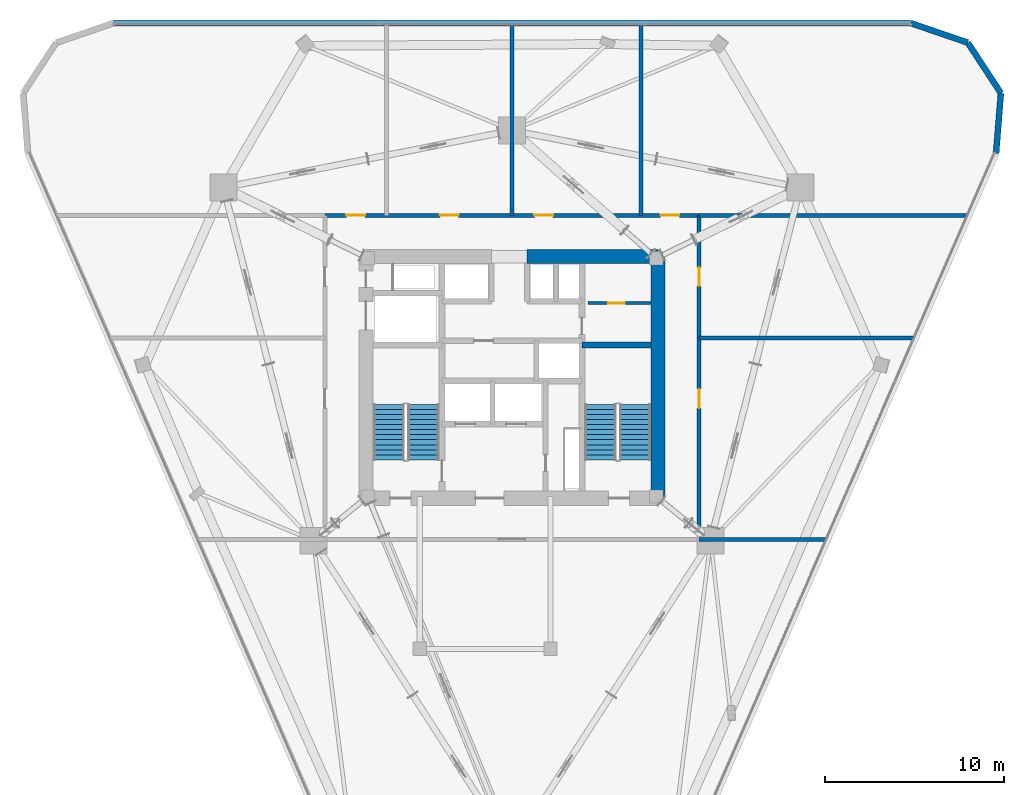
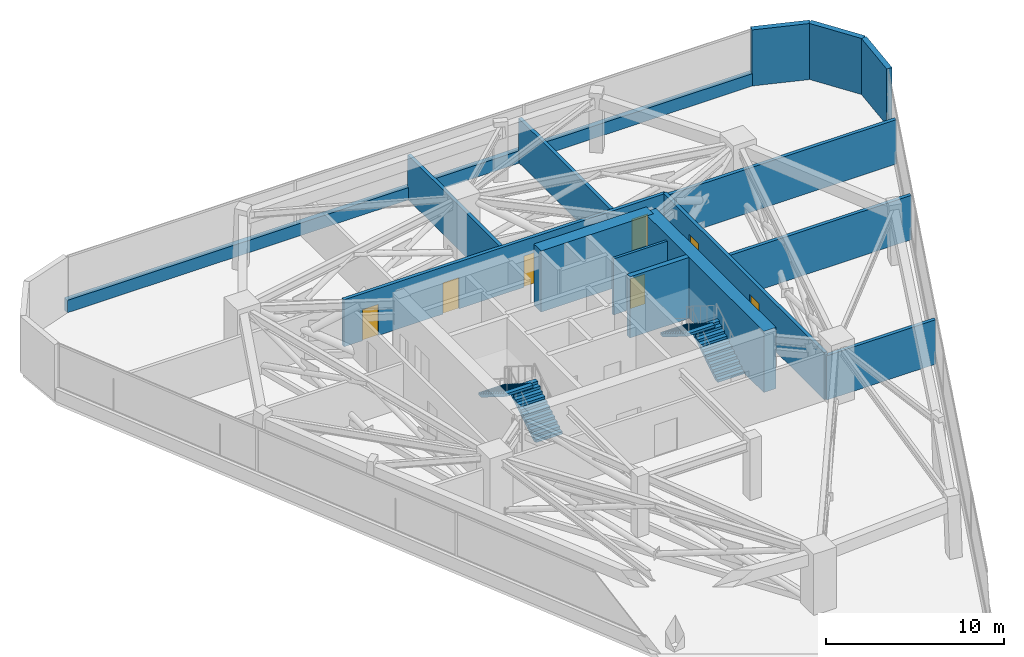
# One storey, part 12 of 13: 15 walls, 7 doors, 4 stair flights, 7 openings, 2 elements without a shape of their own.
"""IFC4 building model written with IfcOpenShell, lengths in metres."""

from ifc_helpers import new_model, si_unit, direction, frame, frame_2d, origin, place, context, subcontext, project, spatial, polyline, rectangle, outline, extrude, material, layer, layer_set, type_object, element, fill, aggregate, save


model = new_model("IFC4")

# Units and contexts
model_context = context("Model", 3, precision=1e-05, world=origin(), true_north=direction((0.0, 1.0)))
body_context = subcontext(model_context, "Body", "Model", "MODEL_VIEW")
ifc_project = project(units=[si_unit("LENGTHUNIT", "METRE"), si_unit("AREAUNIT", "SQUARE_METRE"), si_unit("VOLUMEUNIT", "CUBIC_METRE"), si_unit("PLANEANGLEUNIT", "RADIAN"), si_unit("MASSUNIT", "GRAM", prefix="KILO")], contexts=[model_context])

# Site, building, storey
site_placement = place(None, origin())
site = spatial("IfcSite", under=ifc_project, at=site_placement, CompositionType="ELEMENT")
building_placement = place(site_placement, origin())
building = spatial("IfcBuilding", under=site, at=building_placement, Name="Talyreon Biosciences Tower", CompositionType="ELEMENT")
storey_placement = place(building_placement, frame((0.0, 0.0, 171.0)))
storey = spatial("IfcBuildingStorey", under=building, at=storey_placement, Name="L45", CompositionType="ELEMENT", Elevation=171.0)

# Walls
ifc_material_1 = material(Name="Concrete C50/60", Category="concrete")
ifc_layer_1 = layer(ifc_material_1, 0.320068359375)
ifc_layer_set_1 = layer_set([ifc_layer_1], Name="Concrete C50/60")
wall_type_1 = type_object("IfcWallType", Name="CoreShearWall_320", PredefinedType="SHEAR", material=ifc_layer_set_1)
wall_1_placement = place(storey_placement, frame((69.909912109375, 69.81005859375, 0.0), z_axis=(0.0, 0.0, 1.0), x_axis=(1.0, 0.0, 0.0)))
element("IfcWall", 1, at=wall_1_placement, inside=storey, type_object=wall_type_1, Name="L45 Core Shaft Wall SW2N", PredefinedType="SHEAR", context=body_context, shape_type="SweptSolid", body=[
    extrude(rectangle(XDim=3.840087890625, YDim=0.320068359375, at=frame_2d((1.919921875, 0.0))), origin(), (0.0, 0.0, 1.0), 4.199951171875),
])
ifc_material_2 = material(Name="Concrete C60/75", Category="concrete")
ifc_layer_2 = layer(ifc_material_2, 0.800048828125)
ifc_layer_set_2 = layer_set([ifc_layer_2], Name="Concrete C60/75")
wall_type_2 = type_object("IfcWallType", Name="CoreShearWall_800", PredefinedType="SHEAR", material=ifc_layer_set_2)
wall_2_placement = place(storey_placement, frame((74.14990234375, 61.25, 0.0), z_axis=(0.0, 0.0, 1.0), x_axis=(0.0, 1.0, 0.0)))
element("IfcWall", 2, at=wall_2_placement, inside=storey, type_object=wall_type_2, Name="L45 Core Shear Wall E", PredefinedType="SHEAR", context=body_context, shape_type="SweptSolid", body=[
    extrude(rectangle(XDim=13.5, YDim=0.800048828125, at=frame_2d((6.75, 0.0))), origin(), (0.0, 0.0, 1.0), 4.199951171875),
])
wall_3_placement = place(storey_placement, frame((74.14990234375, 74.75, 0.0), z_axis=(0.0, 0.0, 1.0), x_axis=(-1.0, 0.0, 0.0)))
element("IfcWall", 3, at=wall_3_placement, inside=storey, type_object=wall_type_2, Name="L45 Core Shear Wall NE", PredefinedType="SHEAR", context=body_context, shape_type="SweptSolid", body=[
    extrude(rectangle(XDim=7.2998046875, YDim=0.800048828125, at=frame_2d((3.64990234375, 0.0))), origin(), (0.0, 0.0, 1.0), 4.199951171875),
])
ifc_material_3 = material(Name="Gypsum fireboard acoustic stud", Category="gypsum")
ifc_layer_3 = layer(ifc_material_3, 0.219970703125)
ifc_layer_set_3 = layer_set([ifc_layer_3], Name="Gypsum fireboard acoustic stud")
wall_type_3 = type_object("IfcWallType", Name="CorridorRatedPartition_220", PredefinedType="PARTITIONING", material=ifc_layer_set_3)
for number, where, z_axis, x_axis, name in (
    (4, (66.0, 77.050048828125, 0.0), (0.0, 0.0, 1.0), (0.0, 1.0, 0.0), "L45 Interior Wall IW-L45-ND2"),
    (5, (73.199951171875, 77.050048828125, 0.0), (0.0, 0.0, 1.0), (0.0, 1.0, 0.0), "L45 Interior Wall IW-L45-ND3"),
):
    element("IfcWall", number, at=place(storey_placement, frame(where, z_axis=z_axis, x_axis=x_axis)), inside=storey, type_object=wall_type_3, Name=name, PredefinedType="PARTITIONING", context=body_context, shape_type="SweptSolid", body=[
        extrude(rectangle(XDim=10.650634765625, YDim=0.219970703125, at=frame_2d((5.3251953125, 0.0))), origin(), (0.0, 0.0, 1.0), 3.050048828125),
    ])
wall_4_placement = place(storey_placement, frame((76.449951171875, 77.050048828125, 0.0), z_axis=(0.0, 0.0, 1.0), x_axis=(1.0, 0.0, 0.0)))
element("IfcWall", 6, at=wall_4_placement, inside=storey, type_object=wall_type_3, Name="L45 Interior Wall IW-L45-NDIV-NE", PredefinedType="PARTITIONING", context=body_context, shape_type="SweptSolid", body=[
    extrude(rectangle(XDim=14.979736328125, YDim=0.219970703125, at=frame_2d((7.48974609375, 0.0))), origin(), (0.0, 0.0, 1.0), 3.050048828125),
])
wall_5_placement = place(storey_placement, frame((76.449951171875, 70.199951171875, 0.0), z_axis=(0.0, 0.0, 1.0), x_axis=(1.0, 0.0, 0.0)))
element("IfcWall", 7, at=wall_5_placement, inside=storey, type_object=wall_type_3, Name="L45 Interior Wall IW-L45-ED1", PredefinedType="PARTITIONING", context=body_context, shape_type="SweptSolid", body=[
    extrude(rectangle(XDim=11.996337890625, YDim=0.219970703125, at=frame_2d((5.998046875, 0.0))), origin(), (0.0, 0.0, 1.0), 3.050048828125),
])
wall_6_placement = place(storey_placement, frame((76.449951171875, 58.949951171875, 0.0), z_axis=(0.0, 0.0, 1.0), x_axis=(1.0, 0.0, 0.0)))
element("IfcWall", 8, at=wall_6_placement, inside=storey, type_object=wall_type_3, Name="L45 Interior Wall IW-L45-PDIV-SE", PredefinedType="PARTITIONING", context=body_context, shape_type="SweptSolid", body=[
    extrude(rectangle(XDim=7.0966796875, YDim=0.219970703125, at=frame_2d((3.54833984375, 0.0))), origin(), (0.0, 0.0, 1.0), 3.050048828125),
])

# Wall, openings, doors
wall_7_placement = place(storey_placement, frame((76.449951171875, 58.949951171875, 0.0), z_axis=(0.0, 0.0, 1.0), x_axis=(0.0, 1.0, 0.0)))
wall_7 = element("IfcWall", 9, at=wall_7_placement, inside=storey, type_object=wall_type_3, Name="L45 Interior Wall IW-L45-PC-E", PredefinedType="PARTITIONING", context=body_context, shape_type="SweptSolid", body=[
    extrude(rectangle(XDim=18.10009765625, YDim=0.219970703125, at=frame_2d((9.050048828125, 0.0))), origin(), (0.0, 0.0, 1.0), 3.22998046875),
])
opening_1_placement = place(wall_7_placement, frame((7.340087890625, 0.0, 0.0)))
opening_1 = element("IfcOpeningElement", 10, at=opening_1_placement, cuts=wall_7, Name="Opening DR-L45-PL-EB", PredefinedType="OPENING", context=body_context, shape_type="SweptSolid", body=[
    extrude(rectangle(XDim=1.050048828125, YDim=2.14990234375, at=frame_2d((0.52490234375, 1.074951171875))), frame((0.0, 0.119873046875, 0.0), z_axis=(0.0, -1.0, 0.0), x_axis=(1.0, 0.0, 0.0)), (0.0, 0.0, 1.0), 0.239990234375),
])
opening_2_placement = place(wall_7_placement, frame((14.14990234375, 0.0, 0.0)))
opening_2 = element("IfcOpeningElement", 11, at=opening_2_placement, cuts=wall_7, Name="Opening DR-L45-PL-EA", PredefinedType="OPENING", context=body_context, shape_type="SweptSolid", body=[
    extrude(rectangle(XDim=1.050048828125, YDim=2.14990234375, at=frame_2d((0.52490234375, 1.074951171875))), frame((0.0, 0.119873046875, 0.0), z_axis=(0.0, -1.0, 0.0), x_axis=(1.0, 0.0, 0.0)), (0.0, 0.0, 1.0), 0.239990234375),
])
ifc_material_4 = material(Name="Acoustic timber-core laboratory door", Category="wood")
door_type_1 = type_object("IfcDoorType", Name="DryLabSingleDoor_1050x2150", OperationType="NOTDEFINED", PredefinedType="DOOR", material=ifc_material_4)
door_1_placement = place(opening_1_placement, origin())
door_1 = element("IfcDoor", 12, at=door_1_placement, inside=storey, type_object=door_type_1, Name="L45 Interior Door DR-L45-PL-EB", OperationType="SINGLE_SWING_RIGHT", OverallHeight=2.14990234375, OverallWidth=1.050048828125, PredefinedType="DOOR", context=body_context, shape_type="SweptSolid", body=[
    extrude(rectangle(XDim=1.050048828125, YDim=2.14990234375, at=frame_2d((0.52490234375, 1.074951171875))), frame((0.0, 0.02490234375, 0.0), z_axis=(0.0, -1.0, 0.0), x_axis=(1.0, 0.0, 0.0)), (0.0, 0.0, 1.0), 0.050048828125),
])
fill(opening_1, door_1)
door_2_placement = place(opening_2_placement, origin())
door_2 = element("IfcDoor", 13, at=door_2_placement, inside=storey, type_object=door_type_1, Name="L45 Interior Door DR-L45-PL-EA", OperationType="SINGLE_SWING_RIGHT", OverallHeight=2.14990234375, OverallWidth=1.050048828125, PredefinedType="DOOR", context=body_context, shape_type="SweptSolid", body=[
    extrude(rectangle(XDim=1.050048828125, YDim=2.14990234375, at=frame_2d((0.52490234375, 1.074951171875))), frame((0.0, 0.02490234375, 0.0), z_axis=(0.0, -1.0, 0.0), x_axis=(1.0, 0.0, 0.0)), (0.0, 0.0, 1.0), 0.050048828125),
])
fill(opening_2, door_2)

wall_8_placement = place(storey_placement, frame((55.550048828125, 77.050048828125, 0.0), z_axis=(0.0, 0.0, 1.0), x_axis=(1.0, 0.0, 0.0)))
wall_8 = element("IfcWall", 14, at=wall_8_placement, inside=storey, type_object=wall_type_3, Name="L45 Interior Wall IW-L45-PC-N", PredefinedType="PARTITIONING", context=body_context, shape_type="SweptSolid", body=[
    extrude(rectangle(XDim=20.89990234375, YDim=0.219970703125, at=frame_2d((10.449951171875, 0.0))), origin(), (0.0, 0.0, 1.0), 3.22998046875),
])
opening_3_placement = place(wall_8_placement, frame((1.199951171875, 0.0, 0.0)))
opening_3 = element("IfcOpeningElement", 15, at=opening_3_placement, cuts=wall_8, Name="Opening DR-L45-PL-NWA", PredefinedType="OPENING", context=body_context, shape_type="SweptSolid", body=[
    extrude(rectangle(XDim=1.050048828125, YDim=2.14990234375, at=frame_2d((0.52490234375, 1.074951171875))), frame((0.0, 0.119873046875, 0.0), z_axis=(0.0, -1.0, 0.0), x_axis=(1.0, 0.0, 0.0)), (0.0, 0.0, 1.0), 0.239990234375),
])
opening_4_placement = place(wall_8_placement, frame((6.425048828125, 0.0, 0.0)))
opening_4 = element("IfcOpeningElement", 16, at=opening_4_placement, cuts=wall_8, Name="Opening DR-L45-PL-NWB", PredefinedType="OPENING", context=body_context, shape_type="SweptSolid", body=[
    extrude(rectangle(XDim=1.050048828125, YDim=2.14990234375, at=frame_2d((0.52490234375, 1.074951171875))), frame((0.0, 0.119873046875, 0.0), z_axis=(0.0, -1.0, 0.0), x_axis=(1.0, 0.0, 0.0)), (0.0, 0.0, 1.0), 0.239990234375),
])
opening_5_placement = place(wall_8_placement, frame((11.701904296875, 0.0, 0.0)))
opening_5 = element("IfcOpeningElement", 17, at=opening_5_placement, cuts=wall_8, Name="Opening DR-L45-PL-NEA", PredefinedType="OPENING", context=body_context, shape_type="SweptSolid", body=[
    extrude(rectangle(XDim=1.050048828125, YDim=2.14990234375, at=frame_2d((0.52490234375, 1.074951171875))), frame((0.0, 0.119873046875, 0.0), z_axis=(0.0, -1.0, 0.0), x_axis=(1.0, 0.0, 0.0)), (0.0, 0.0, 1.0), 0.239990234375),
])
opening_6_placement = place(wall_8_placement, frame((18.75, 0.0, 0.0)))
opening_6 = element("IfcOpeningElement", 18, at=opening_6_placement, cuts=wall_8, Name="Opening DR-L45-PL-NEB", PredefinedType="OPENING", context=body_context, shape_type="SweptSolid", body=[
    extrude(rectangle(XDim=1.050048828125, YDim=2.14990234375, at=frame_2d((0.52490234375, 1.074951171875))), frame((0.0, 0.119873046875, 0.0), z_axis=(0.0, -1.0, 0.0), x_axis=(1.0, 0.0, 0.0)), (0.0, 0.0, 1.0), 0.239990234375),
])
door_3_placement = place(opening_3_placement, origin())
door_3 = element("IfcDoor", 19, at=door_3_placement, inside=storey, type_object=door_type_1, Name="L45 Interior Door DR-L45-PL-NWA", OperationType="SINGLE_SWING_RIGHT", OverallHeight=2.14990234375, OverallWidth=1.050048828125, PredefinedType="DOOR", context=body_context, shape_type="SweptSolid", body=[
    extrude(rectangle(XDim=1.050048828125, YDim=2.14990234375, at=frame_2d((0.52490234375, 1.074951171875))), frame((0.0, 0.02490234375, 0.0), z_axis=(0.0, -1.0, 0.0), x_axis=(1.0, 0.0, 0.0)), (0.0, 0.0, 1.0), 0.050048828125),
])
fill(opening_3, door_3)
door_4_placement = place(opening_4_placement, origin())
door_4 = element("IfcDoor", 20, at=door_4_placement, inside=storey, type_object=door_type_1, Name="L45 Interior Door DR-L45-PL-NWB", OperationType="SINGLE_SWING_RIGHT", OverallHeight=2.14990234375, OverallWidth=1.050048828125, PredefinedType="DOOR", context=body_context, shape_type="SweptSolid", body=[
    extrude(rectangle(XDim=1.050048828125, YDim=2.14990234375, at=frame_2d((0.52490234375, 1.074951171875))), frame((0.0, 0.02490234375, 0.0), z_axis=(0.0, -1.0, 0.0), x_axis=(1.0, 0.0, 0.0)), (0.0, 0.0, 1.0), 0.050048828125),
])
fill(opening_4, door_4)
door_5_placement = place(opening_5_placement, origin())
door_5 = element("IfcDoor", 21, at=door_5_placement, inside=storey, type_object=door_type_1, Name="L45 Interior Door DR-L45-PL-NEA", OperationType="SINGLE_SWING_LEFT", OverallHeight=2.14990234375, OverallWidth=1.050048828125, PredefinedType="DOOR", context=body_context, shape_type="SweptSolid", body=[
    extrude(rectangle(XDim=1.050048828125, YDim=2.14990234375, at=frame_2d((0.52490234375, 1.074951171875))), frame((0.0, 0.02490234375, 0.0), z_axis=(0.0, -1.0, 0.0), x_axis=(1.0, 0.0, 0.0)), (0.0, 0.0, 1.0), 0.050048828125),
])
fill(opening_5, door_5)
door_6_placement = place(opening_6_placement, origin())
door_6 = element("IfcDoor", 22, at=door_6_placement, inside=storey, type_object=door_type_1, Name="L45 Interior Door DR-L45-PL-NEB", OperationType="SINGLE_SWING_RIGHT", OverallHeight=2.14990234375, OverallWidth=1.050048828125, PredefinedType="DOOR", context=body_context, shape_type="SweptSolid", body=[
    extrude(rectangle(XDim=1.050048828125, YDim=2.14990234375, at=frame_2d((0.52490234375, 1.074951171875))), frame((0.0, 0.02490234375, 0.0), z_axis=(0.0, -1.0, 0.0), x_axis=(1.0, 0.0, 0.0)), (0.0, 0.0, 1.0), 0.050048828125),
])
fill(opening_6, door_6)

# Wall, opening, door
ifc_material_5 = material(Name="Gypsum acoustic stud partition", Category="gypsum")
ifc_layer_4 = layer(ifc_material_5, 0.159912109375)
ifc_layer_set_4 = layer_set([ifc_layer_4], Name="Gypsum acoustic stud partition")
wall_type_4 = type_object("IfcWallType", Name="LabSeparationPartition_160", PredefinedType="PARTITIONING", material=ifc_layer_set_4)
wall_9_placement = place(storey_placement, frame((70.22998046875, 72.14990234375, 0.0), z_axis=(0.0, 0.0, 1.0), x_axis=(1.0, 0.0, 0.0)))
wall_9 = element("IfcWall", 23, at=wall_9_placement, inside=storey, type_object=wall_type_4, Name="L45 Interior Wall IW-L45-CSRV-H", PredefinedType="PARTITIONING", context=body_context, shape_type="SweptSolid", body=[
    extrude(rectangle(XDim=3.52001953125, YDim=0.159912109375, at=frame_2d((1.760009765625, 0.0))), origin(), (0.0, 0.0, 1.0), 3.85009765625),
])
opening_7_placement = place(wall_9_placement, frame((1.14990234375, 0.0, 0.0)))
opening_7 = element("IfcOpeningElement", 24, at=opening_7_placement, cuts=wall_9, Name="Opening DR-L45-CSRV-I", PredefinedType="OPENING", context=body_context, shape_type="SweptSolid", body=[
    extrude(rectangle(XDim=0.919921875, YDim=2.050048828125, at=frame_2d((0.4599609375, 1.02490234375))), frame((0.0, 0.08984375, 0.0), z_axis=(0.0, -1.0, 0.0), x_axis=(1.0, 0.0, 0.0)), (0.0, 0.0, 1.0), 0.179931640625),
])
ifc_material_6 = material(Name="Painted steel fire-rated riser door", Category="steel")
door_type_2 = type_object("IfcDoorType", Name="RiserPlantAccessDoor_920x2050", OperationType="NOTDEFINED", PredefinedType="DOOR", material=ifc_material_6)
door_7_placement = place(opening_7_placement, origin())
door_7 = element("IfcDoor", 25, at=door_7_placement, inside=storey, type_object=door_type_2, Name="L45 Interior Door DR-L45-CSRV-I", OperationType="SINGLE_SWING_LEFT", OverallHeight=2.050048828125, OverallWidth=0.919921875, PredefinedType="DOOR", context=body_context, shape_type="SweptSolid", body=[
    extrude(rectangle(XDim=0.919921875, YDim=2.050048828125, at=frame_2d((0.4599609375, 1.02490234375))), frame((0.0, 0.02490234375, 0.0), z_axis=(0.0, -1.0, 0.0), x_axis=(1.0, 0.0, 0.0)), (0.0, 0.0, 1.0), 0.050048828125),
])
fill(opening_7, door_7)

# Walls
ifc_material_7 = material(Name="Precast concrete C45/55", Category="concrete")
ifc_layer_5 = layer(ifc_material_7, 0.340087890625)
ifc_layer_set_5 = layer_set([ifc_layer_5], Name="Precast concrete C45/55")
wall_type_5 = type_object("IfcWallType", Name="PrecastConcreteSpandrelWall_340", PredefinedType="STANDARD", material=ifc_layer_set_5)
wall_10_placement = place(storey_placement, frame((43.738525390625, 87.78564453125, 0.0), z_axis=(0.0, 0.0, 1.0), x_axis=(1.0, 0.0, 0.0)))
element("IfcWall", 26, at=wall_10_placement, inside=storey, type_object=wall_type_5, Name="L45 Expressed Concrete Sill Wall 04", PredefinedType="STANDARD", context=body_context, shape_type="SweptSolid", body=[
    extrude(rectangle(XDim=44.52294921875, YDim=0.340087890625, at=frame_2d((22.261474609375, 0.0))), origin(), (0.0, 0.0, 1.0), 0.85009765625),
])
wall_11_placement = place(storey_placement, frame((88.261474609375, 87.78564453125, 0.0), z_axis=(0.0, 0.0, 1.0), x_axis=(0.94595609767, -0.324294713618, 0.0)))
element("IfcWall", 27, at=wall_11_placement, inside=storey, type_object=wall_type_5, Name="L45 Rounded-Corner Concrete Pier 05", PredefinedType="STANDARD", context=body_context, shape_type="SweptSolid", body=[
    extrude(rectangle(XDim=3.372802734375, YDim=0.340087890625, at=frame_2d((1.6865234375, 0.0))), origin(), (0.0, 0.0, 1.0), 3.85009765625),
])
for number, where, z_axis, x_axis, name in (
    (28, (91.451904296875, 86.69189453125, 0.0), (0.0, 0.0, 1.0), (0.548083892996, -0.836423365431, 0.0), "L45 Rounded-Corner Concrete Pier 06"),
    (29, (93.30029296875, 83.87109375, 0.0), (0.0, 0.0, 1.0), (-0.080427112157, -0.996760492611, 0.0), "L45 Rounded-Corner Concrete Pier 07"),
):
    element("IfcWall", number, at=place(storey_placement, frame(where, z_axis=z_axis, x_axis=x_axis)), inside=storey, type_object=wall_type_5, Name=name, PredefinedType="STANDARD", context=body_context, shape_type="SweptSolid", body=[
        extrude(rectangle(XDim=3.37255859375, YDim=0.340087890625, at=frame_2d((1.686279296875, 0.0))), origin(), (0.0, 0.0, 1.0), 3.85009765625),
    ])

# Stair, stair flights
ifc_material_8 = material(Name="Concrete C40/50", Category="concrete")
stair_type = type_object("IfcStairType", Name="DoglegEscapeStair_4200", PredefinedType="HALF_TURN_STAIR", material=ifc_material_8)
stair_1_placement = place(storey_placement, origin())
stair_1 = element("IfcStair", 30, at=stair_1_placement, inside=storey, type_object=stair_type, Name="L45 Core Escape Stair 1", PredefinedType="HALF_TURN_STAIR")
stair_flight_type = type_object("IfcStairFlightType", Name="PrecastStairFlight_4200", PredefinedType="STRAIGHT", material=ifc_material_8)
stair_flight_1_placement = place(storey_placement, frame((61.06005859375, 63.39990234375, 0.0), z_axis=(0.0, 0.0, 1.0), x_axis=(0.0, 1.0, 0.0)))
stair_flight_1 = element("IfcStairFlight", 31, at=stair_flight_1_placement, type_object=stair_flight_type, Name="ST-1 flight 1", NumberOfRisers=12, NumberOfTreads=11, PredefinedType="STRAIGHT", RiserHeight=0.175, TreadLength=0.28, context=body_context, shape_type="SweptSolid", body=[
    extrude(outline(polyline([(0.0, 0.0), (0.0, 0.175048828125), (0.280029296875, 0.175048828125), (0.280029296875, 0.35009765625), (0.56005859375, 0.35009765625), (0.56005859375, 0.52490234375), (0.840087890625, 0.52490234375), (0.840087890625, 0.699951171875), (1.1201171875, 0.699951171875), (1.1201171875, 0.875), (1.39990234375, 0.875), (1.39990234375, 1.050048828125), (1.679931640625, 1.050048828125), (1.679931640625, 1.22509765625), (1.9599609375, 1.22509765625), (1.9599609375, 1.39990234375), (2.239990234375, 1.39990234375), (2.239990234375, 1.574951171875), (2.52001953125, 1.574951171875), (2.52001953125, 1.75), (2.800048828125, 1.75), (2.800048828125, 1.925048828125), (3.080078125, 1.925048828125), (3.080078125, 2.10009765625), (3.080078125, 1.748291015625), (0.28271484375, 0.0), (0.0, 0.0)])), frame((0.0, 0.8701171875, 0.0), z_axis=(0.0, -1.0, 0.0), x_axis=(1.0, 0.0, 0.0)), (0.0, 0.0, 1.0), 1.739990234375),
])
stair_flight_2_placement = place(storey_placement, frame((59.1201171875, 66.47998046875, 2.10009765625), z_axis=(0.0, 0.0, 1.0), x_axis=(0.0, -1.0, 0.0)))
stair_flight_2 = element("IfcStairFlight", 32, at=stair_flight_2_placement, type_object=stair_flight_type, Name="ST-1 flight 2", NumberOfRisers=12, NumberOfTreads=11, PredefinedType="STRAIGHT", RiserHeight=0.175, TreadLength=0.28, context=body_context, shape_type="SweptSolid", body=[
    extrude(outline(polyline([(0.0, 0.0), (0.0, 0.175048828125), (0.280029296875, 0.175048828125), (0.280029296875, 0.35009765625), (0.56005859375, 0.35009765625), (0.56005859375, 0.52490234375), (0.840087890625, 0.52490234375), (0.840087890625, 0.699951171875), (1.1201171875, 0.699951171875), (1.1201171875, 0.875), (1.39990234375, 0.875), (1.39990234375, 1.050048828125), (1.679931640625, 1.050048828125), (1.679931640625, 1.22509765625), (1.9599609375, 1.22509765625), (1.9599609375, 1.39990234375), (2.239990234375, 1.39990234375), (2.239990234375, 1.574951171875), (2.52001953125, 1.574951171875), (2.52001953125, 1.75), (2.800048828125, 1.75), (2.800048828125, 1.925048828125), (3.080078125, 1.925048828125), (3.080078125, 2.10009765625), (3.080078125, 1.748291015625), (0.28271484375, 0.0), (0.0, 0.0)])), frame((0.0, 0.8701171875, 0.0), z_axis=(0.0, -1.0, 0.0), x_axis=(1.0, 0.0, 0.0)), (0.0, 0.0, 1.0), 1.739990234375),
])
aggregate(stair_1, [stair_flight_1, stair_flight_2])

stair_2_placement = place(storey_placement, origin())
stair_2 = element("IfcStair", 33, at=stair_2_placement, inside=storey, type_object=stair_type, Name="L45 Core Escape Stair 2", PredefinedType="HALF_TURN_STAIR")
stair_flight_3_placement = place(storey_placement, frame((72.8798828125, 63.39990234375, 0.0), z_axis=(0.0, 0.0, 1.0), x_axis=(0.0, 1.0, 0.0)))
stair_flight_3 = element("IfcStairFlight", 34, at=stair_flight_3_placement, type_object=stair_flight_type, Name="ST-2 flight 1", NumberOfRisers=12, NumberOfTreads=11, PredefinedType="STRAIGHT", RiserHeight=0.175, TreadLength=0.28, context=body_context, shape_type="SweptSolid", body=[
    extrude(outline(polyline([(0.0, 0.0), (0.0, 0.175048828125), (0.280029296875, 0.175048828125), (0.280029296875, 0.35009765625), (0.56005859375, 0.35009765625), (0.56005859375, 0.52490234375), (0.840087890625, 0.52490234375), (0.840087890625, 0.699951171875), (1.1201171875, 0.699951171875), (1.1201171875, 0.875), (1.39990234375, 0.875), (1.39990234375, 1.050048828125), (1.679931640625, 1.050048828125), (1.679931640625, 1.22509765625), (1.9599609375, 1.22509765625), (1.9599609375, 1.39990234375), (2.239990234375, 1.39990234375), (2.239990234375, 1.574951171875), (2.52001953125, 1.574951171875), (2.52001953125, 1.75), (2.800048828125, 1.75), (2.800048828125, 1.925048828125), (3.080078125, 1.925048828125), (3.080078125, 2.10009765625), (3.080078125, 1.748291015625), (0.28271484375, 0.0), (0.0, 0.0)])), frame((0.0, 0.8701171875, 0.0), z_axis=(0.0, -1.0, 0.0), x_axis=(1.0, 0.0, 0.0)), (0.0, 0.0, 1.0), 1.739990234375),
])
stair_flight_4_placement = place(storey_placement, frame((70.93994140625, 66.47998046875, 2.10009765625), z_axis=(0.0, 0.0, 1.0), x_axis=(0.0, -1.0, 0.0)))
stair_flight_4 = element("IfcStairFlight", 35, at=stair_flight_4_placement, type_object=stair_flight_type, Name="ST-2 flight 2", NumberOfRisers=12, NumberOfTreads=11, PredefinedType="STRAIGHT", RiserHeight=0.175, TreadLength=0.28, context=body_context, shape_type="SweptSolid", body=[
    extrude(outline(polyline([(0.0, 0.0), (0.0, 0.175048828125), (0.280029296875, 0.175048828125), (0.280029296875, 0.35009765625), (0.56005859375, 0.35009765625), (0.56005859375, 0.52490234375), (0.840087890625, 0.52490234375), (0.840087890625, 0.699951171875), (1.1201171875, 0.699951171875), (1.1201171875, 0.875), (1.39990234375, 0.875), (1.39990234375, 1.050048828125), (1.679931640625, 1.050048828125), (1.679931640625, 1.22509765625), (1.9599609375, 1.22509765625), (1.9599609375, 1.39990234375), (2.239990234375, 1.39990234375), (2.239990234375, 1.574951171875), (2.52001953125, 1.574951171875), (2.52001953125, 1.75), (2.800048828125, 1.75), (2.800048828125, 1.925048828125), (3.080078125, 1.925048828125), (3.080078125, 2.10009765625), (3.080078125, 1.748291015625), (0.28271484375, 0.0), (0.0, 0.0)])), frame((0.0, 0.8701171875, 0.0), z_axis=(0.0, -1.0, 0.0), x_axis=(1.0, 0.0, 0.0)), (0.0, 0.0, 1.0), 1.739990234375),
])
aggregate(stair_2, [stair_flight_3, stair_flight_4])

save(model, "model.ifc")
